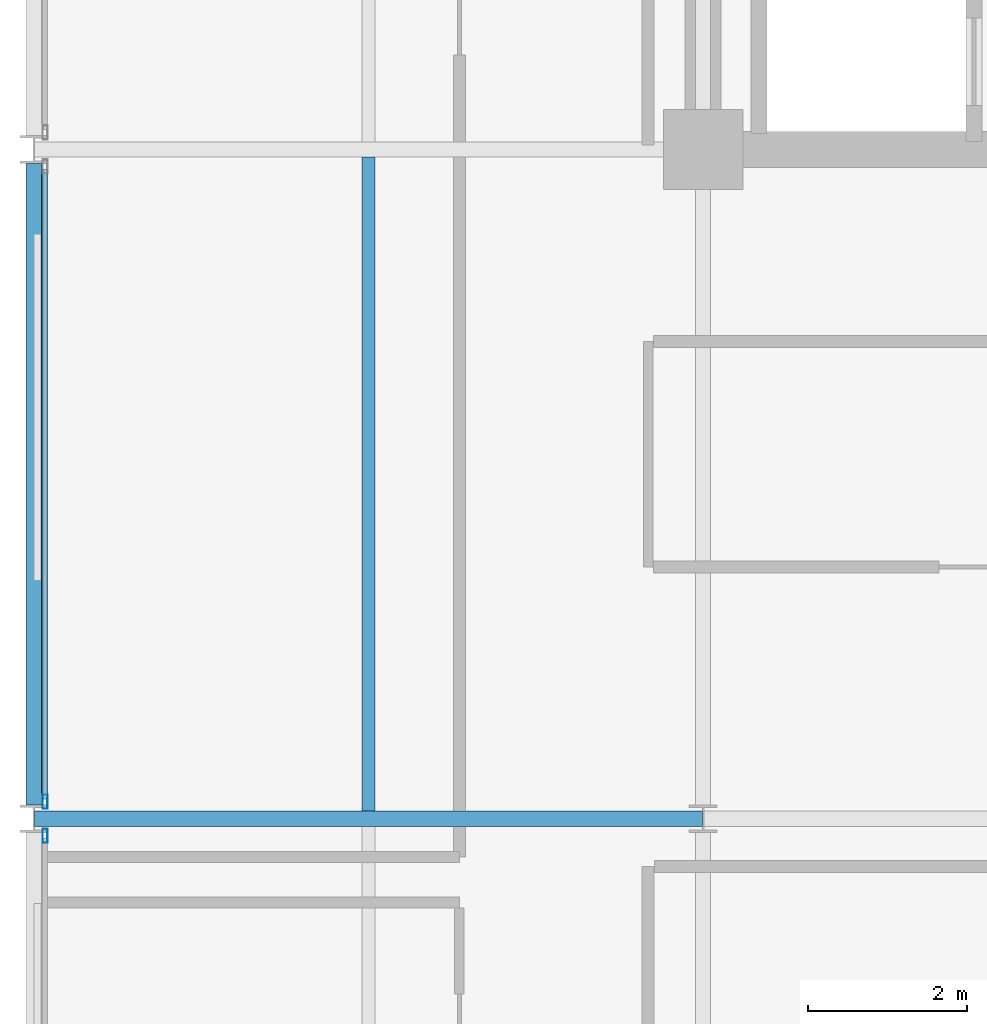
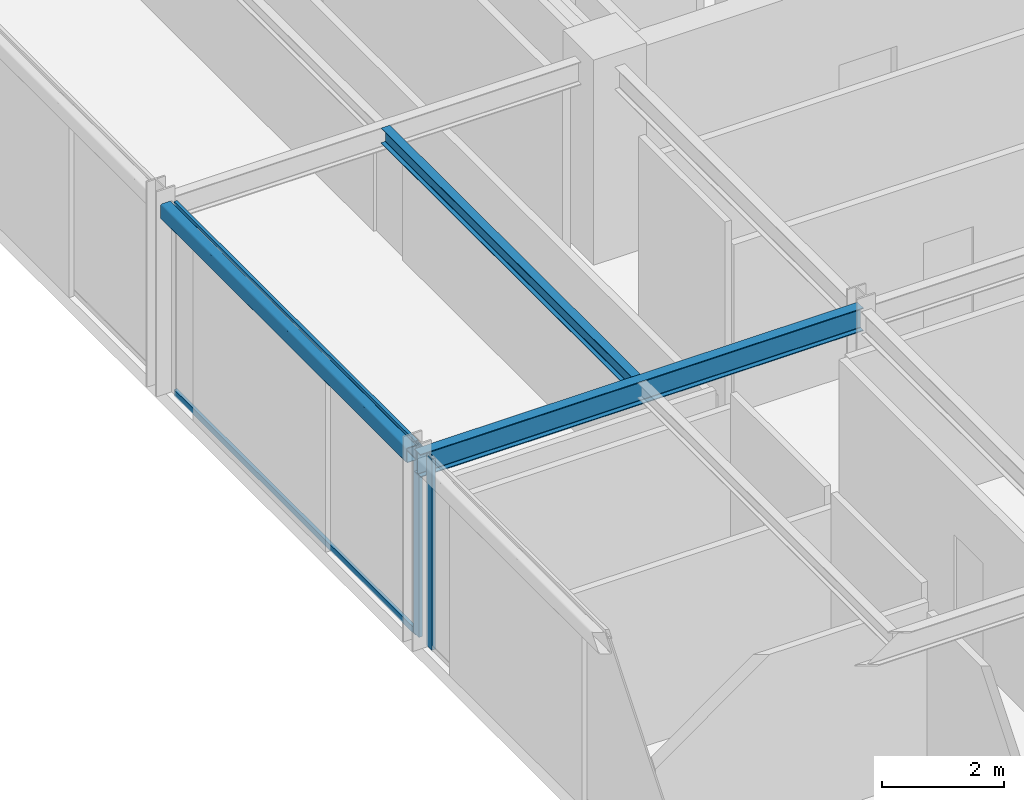
# One storey, part 8 of 25: 4 members, 3 beams, 2 elements without a shape of their own.
"""IFC4 building model written with IfcOpenShell, lengths in metres."""

from ifc_helpers import new_model, si_unit, direction, frame, origin, origin_2d, place, context, subcontext, project, spatial, hollow_rectangle, i_section, extrude, material, layer, layer_set, material_profile, profile_set, type_object, element, aggregate, save


model = new_model("IFC4")

# Units and contexts
model_context = context("Model", 3, precision=1e-05, world=origin(), true_north=direction((0.0, 1.0)))
body_context = subcontext(model_context, "Body", "Model", "MODEL_VIEW")
ifc_project = project(units=[si_unit("LENGTHUNIT", "METRE"), si_unit("AREAUNIT", "SQUARE_METRE"), si_unit("VOLUMEUNIT", "CUBIC_METRE"), si_unit("PLANEANGLEUNIT", "RADIAN"), si_unit("MASSUNIT", "GRAM", prefix="KILO")], contexts=[model_context])

# Site, building, storey
site_placement = place(None, origin())
site = spatial("IfcSite", under=ifc_project, at=site_placement, CompositionType="ELEMENT")
building_placement = place(site_placement, origin())
building = spatial("IfcBuilding", under=site, at=building_placement, Name="Nerrivon Quay Data Exchange", CompositionType="ELEMENT")
storey_placement = place(building_placement, frame((0.0, 0.0, 224.699951171875)))
storey = spatial("IfcBuildingStorey", under=building, at=storey_placement, Name="L53", CompositionType="ELEMENT", Elevation=224.699951171875)

# Beams
ifc_material_1 = material(Name="Steel Grade 350", Category="steel")
ifc_material_profile_1 = material_profile(ifc_material_1, i_section(OverallWidth=0.19091796875, OverallDepth=0.4599609375, WebThickness=0.010009765625, FlangeThickness=0.01611328125, FilletRadius=0.011474609375, at=origin_2d()), Name="460UB82.1")
ifc_profile_set_1 = profile_set([ifc_material_profile_1], Name="Steel Grade 350")
beam_type_1 = type_object("IfcBeamType", Name="BM-G5-460UB82", PredefinedType="BEAM", material=ifc_profile_set_1)
beam_1_placement = place(storey_placement, frame((0.010009765625, 16.800048828125, 3.594970703125), z_axis=(1.0, 0.0, 0.0), x_axis=(0.0, 1.0, 0.0)))
element("IfcBeam", 1, at=beam_1_placement, inside=storey, type_object=beam_type_1, Name="L53 EW Girder Y=16.8 (0.0..8.4)", PredefinedType="BEAM", context=body_context, shape_type="SweptSolid", body=[
    extrude(i_section(OverallWidth=0.19091796875, OverallDepth=0.4599609375, WebThickness=0.010009765625, FlangeThickness=0.01611328125, FilletRadius=0.011474609375, at=origin_2d()), origin(), (0.0, 0.0, 1.0), 8.3798828125),
])
ifc_material_profile_2 = material_profile(ifc_material_1, i_section(OverallWidth=0.166015625, OverallDepth=0.306884765625, WebThickness=0.006591796875, FlangeThickness=0.01171875, FilletRadius=0.011474609375, at=origin_2d()), Name="310UB46.2")
ifc_profile_set_2 = profile_set([ifc_material_profile_2], Name="Steel Grade 350")
beam_type_2 = type_object("IfcBeamType", Name="BM-J5-310UB46", PredefinedType="JOIST", material=ifc_profile_set_2)
beam_2_placement = place(storey_placement, frame((4.199951171875, 16.8955078125, 3.671630859375), z_axis=(0.0, 1.0, 0.0), x_axis=(-1.0, 0.0, 0.0)))
element("IfcBeam", 2, at=beam_2_placement, inside=storey, type_object=beam_type_2, Name="L53 Secondary Joist X=4.2 (16.8..25.2)", PredefinedType="JOIST", context=body_context, shape_type="SweptSolid", body=[
    extrude(i_section(OverallWidth=0.166015625, OverallDepth=0.306884765625, WebThickness=0.006591796875, FlangeThickness=0.01171875, FilletRadius=0.011474609375, at=origin_2d()), origin(), (0.0, 0.0, 1.0), 8.208984375),
])
ifc_material_2 = material(Name="Steel Grade C350L0 (350 MPa)", Category="steel")
ifc_material_profile_3 = material_profile(ifc_material_2, hollow_rectangle(XDim=0.199951171875, YDim=0.300048828125, WallThickness=0.012451171875, InnerFilletRadius=0.018798828125, OuterFilletRadius=0.03125, at=origin_2d()), Name="300x200x12.5RHS")
ifc_profile_set_3 = profile_set([ifc_material_profile_3], Name="Steel Grade C350L0 (350 MPa)")
beam_type_3 = type_object("IfcBeamType", Name="BM-SP3-300x200RHS", PredefinedType="SPANDREL", material=ifc_profile_set_3)
beam_3_placement = place(storey_placement, frame((0.0, 16.97509765625, 3.675048828125), z_axis=(0.0, 1.0, 0.0), x_axis=(-1.0, 0.0, 0.0)))
element("IfcBeam", 3, at=beam_3_placement, inside=storey, type_object=beam_type_3, Name="L53 NS Girder X=0.0 (16.8..25.2)", PredefinedType="SPANDREL", context=body_context, shape_type="SweptSolid", body=[
    extrude(hollow_rectangle(XDim=0.199951171875, YDim=0.300048828125, WallThickness=0.012451171875, InnerFilletRadius=0.018798828125, OuterFilletRadius=0.03125, at=origin_2d()), origin(), (0.0, 0.0, 1.0), 8.0498046875),
])

# Curtain wall, member
ifc_material_3 = material(Name="Anodised aluminium 6063-T6", Category="aluminium")
ifc_layer = layer(ifc_material_3, 0.195068359375)
ifc_layer_set = layer_set([ifc_layer], Name="Anodised aluminium 6063-T6")
curtain_wall_type = type_object("IfcCurtainWallType", Name="CW-SYS-06", PredefinedType="NOTDEFINED", material=ifc_layer_set)
curtain_wall_1_placement = place(storey_placement, origin())
curtain_wall_1 = element("IfcCurtainWall", 4, at=curtain_wall_1_placement, inside=storey, type_object=curtain_wall_type, Name="L53 Unitised Curtain Wall 12", PredefinedType="NOTDEFINED")
ifc_material_profile_4 = material_profile(ifc_material_3, hollow_rectangle(XDim=0.06494140625, YDim=0.179931640625, WallThickness=0.00341796875, at=origin_2d()), Name="ALU-MULL-180x65")
ifc_profile_set_4 = profile_set([ifc_material_profile_4], Name="Anodised aluminium 6063-T6")
member_type_1 = type_object("IfcMemberType", Name="CWM-180x65", PredefinedType="MULLION", material=ifc_profile_set_4)
member_1_placement = place(storey_placement, frame((0.139892578125, 16.58740234375, 0.0), z_axis=(0.0, 0.0, 1.0), x_axis=(-1.0, 0.0, 0.0)))
member_1 = element("IfcMember", 5, at=member_1_placement, type_object=member_type_1, Name="CW06 mullion 2", PredefinedType="MULLION", context=body_context, shape_type="SweptSolid", body=[
    extrude(hollow_rectangle(XDim=0.06494140625, YDim=0.179931640625, WallThickness=0.00341796875, at=origin_2d()), origin(), (0.0, 0.0, 1.0), 3.824951171875),
])
aggregate(curtain_wall_1, [member_1])

# Curtain wall, members
curtain_wall_2_placement = place(storey_placement, origin())
curtain_wall_2 = element("IfcCurtainWall", 6, at=curtain_wall_2_placement, inside=storey, type_object=curtain_wall_type, Name="L53 Unitised Curtain Wall 13", PredefinedType="NOTDEFINED")
member_2_placement = place(storey_placement, frame((0.139892578125, 17.012451171875, 0.0), z_axis=(0.0, 0.0, 1.0), x_axis=(-1.0, 0.0, 0.0)))
member_2 = element("IfcMember", 7, at=member_2_placement, type_object=member_type_1, Name="CW06 mullion 1", PredefinedType="MULLION", context=body_context, shape_type="SweptSolid", body=[
    extrude(hollow_rectangle(XDim=0.06494140625, YDim=0.179931640625, WallThickness=0.00341796875, at=origin_2d()), origin(), (0.0, 0.0, 1.0), 3.824951171875),
])
ifc_material_profile_5 = material_profile(ifc_material_3, hollow_rectangle(XDim=0.06005859375, YDim=0.1201171875, WallThickness=0.003173828125, at=origin_2d()), Name="ALU-TRAN-120x60")
ifc_profile_set_5 = profile_set([ifc_material_profile_5], Name="Anodised aluminium 6063-T6")
member_type_2 = type_object("IfcMemberType", Name="CWT-120x60", PredefinedType="USERDEFINED", material=ifc_profile_set_5)
member_3_placement = place(storey_placement, frame((0.139892578125, 17.050048828125, 0.032470703125), z_axis=(0.0, 1.0, 0.0), x_axis=(-1.0, 0.0, 0.0)))
member_3 = element("IfcMember", 8, at=member_3_placement, type_object=member_type_2, Name="CW06 transom 1.1", ObjectType="TRANSOM", PredefinedType="USERDEFINED", context=body_context, shape_type="SweptSolid", body=[
    extrude(hollow_rectangle(XDim=0.06005859375, YDim=0.1201171875, WallThickness=0.003173828125, at=origin_2d()), origin(), (0.0, 0.0, 1.0), 7.89990234375),
])
member_4_placement = place(storey_placement, frame((0.139892578125, 17.050048828125, 3.79248046875), z_axis=(0.0, 1.0, 0.0), x_axis=(-1.0, 0.0, 0.0)))
member_4 = element("IfcMember", 9, at=member_4_placement, type_object=member_type_2, Name="CW06 transom 1.2", ObjectType="TRANSOM", PredefinedType="USERDEFINED", context=body_context, shape_type="SweptSolid", body=[
    extrude(hollow_rectangle(XDim=0.06005859375, YDim=0.1201171875, WallThickness=0.003173828125, at=origin_2d()), origin(), (0.0, 0.0, 1.0), 7.89990234375),
])
aggregate(curtain_wall_2, [member_2, member_3, member_4])

save(model, "model.ifc")
